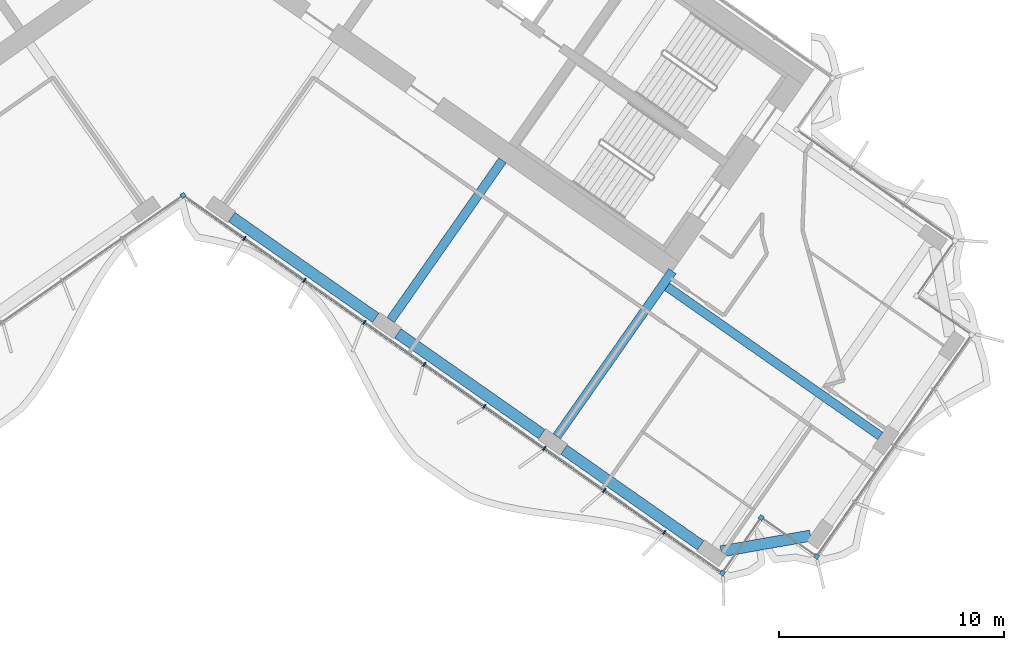
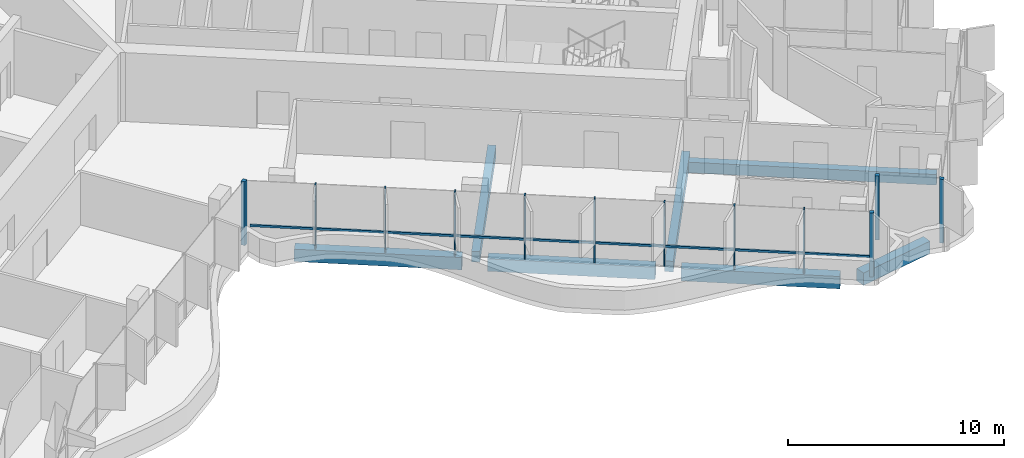
# One storey, part 5 of 21: 13 members, 7 beams, 1 element without a shape of its own.
"""IFC4 building model written with IfcOpenShell, lengths in metres."""

import ifcopenshell
import ifcopenshell.guid

model = None  # the IFC model being written
_history = None  # IfcOwnerHistory: only IFC2X3 demands one
_inside = {}  # id of a spatial element -> (the spatial element, [elements in it])
_under = {}  # id of a project, library or spatial element -> (it, [spatial elements below it])
_declared = {}  # id of a project -> (the project, [libraries it declares])
_typed = {}  # id of a type object -> (the type object, [elements of that type])
_made_of = {}  # id of a material, layer set ... -> (it, [elements and type objects made of it])


def new_model(schema):
    """Start an empty IFC model of exactly this schema.

    Asked for "IFC4X3", IfcOpenShell would pick the latest addendum, in which some entities
    have other attributes; the version numbers below select the first issue.
    IFC2X3 requires an IfcOwnerHistory on every rooted entity: one is made here for all.
    """
    global model, _history
    if schema == "IFC4X3":
        model = ifcopenshell.file(schema_version=(4, 3, 0, 0))
    else:
        model = ifcopenshell.file(schema=schema)
    _inside.clear()
    _under.clear()
    _declared.clear()
    _typed.clear()
    _made_of.clear()
    _history = None
    if model.schema == "IFC2X3":
        org = make("IfcOrganization", Name="unknown")
        user = make(
            "IfcPersonAndOrganization",
            ThePerson=make("IfcPerson", FamilyName="unknown"),
            TheOrganization=org,
        )
        app = make(
            "IfcApplication",
            ApplicationDeveloper=org,
            Version="unknown",
            ApplicationFullName="unknown",
            ApplicationIdentifier="unknown",
        )
        _history = make(
            "IfcOwnerHistory",
            OwningUser=user,
            OwningApplication=app,
            ChangeAction="ADDED",
            CreationDate=0,
        )
    return model


def make(cls, **values):
    """One entity of the class cls with the attributes given. An attribute that is None is left unset."""
    return model.create_entity(
        cls, **{name: value for name, value in values.items() if value is not None}
    )


def rooted(cls, **values):
    """An entity with a GlobalId (a new one), such as an element, a storey or a relation."""
    return make(cls, GlobalId=ifcopenshell.guid.new(), OwnerHistory=_history, **values)


def si_unit(unit_type, name, prefix=None):
    """IfcSIUnit, for example si_unit("LENGTHUNIT", "METRE", prefix="MILLI")."""
    return make("IfcSIUnit", UnitType=unit_type, Prefix=prefix, Name=name)


def assignment(units):
    """IfcUnitAssignment: the units of a project."""
    return None if units is None else make("IfcUnitAssignment", Units=units)


def point(xyz):
    """IfcCartesianPoint."""
    return None if xyz is None else make("IfcCartesianPoint", Coordinates=xyz)


def direction(xyz):
    """IfcDirection."""
    return None if xyz is None else make("IfcDirection", DirectionRatios=xyz)


def frame(location, z_axis=None, x_axis=None):
    """IfcAxis2Placement3D, a coordinate frame: its origin and axes. An axis left out is left unset."""
    return make(
        "IfcAxis2Placement3D",
        Location=point(location),
        Axis=direction(z_axis),
        RefDirection=direction(x_axis),
    )


def frame_2d(location, x_axis=None):
    """IfcAxis2Placement2D, a coordinate frame in the plane: its origin and x axis."""
    return make(
        "IfcAxis2Placement2D", Location=point(location), RefDirection=direction(x_axis)
    )


def origin():
    """The frame at (0, 0, 0) with its axes left unset."""
    return frame((0.0, 0.0, 0.0))


def origin_2d():
    """The frame at (0, 0) in the plane with its x axis left unset."""
    return frame_2d((0.0, 0.0))


def place(relative_to, where):
    """IfcLocalPlacement: puts the frame where relative to a parent placement (None: the world)."""
    return make(
        "IfcLocalPlacement", PlacementRelTo=relative_to, RelativePlacement=where
    )


def context(
    kind, dimensions, precision=None, world=None, true_north=None, identifier=None
):
    """IfcGeometricRepresentationContext, for example the 3D "Model" context."""
    return make(
        "IfcGeometricRepresentationContext",
        ContextIdentifier=identifier,
        ContextType=kind,
        CoordinateSpaceDimension=dimensions,
        Precision=precision,
        WorldCoordinateSystem=world,
        TrueNorth=true_north,
    )


def subcontext(parent, identifier, kind, view, scale=None):
    """IfcGeometricRepresentationSubContext, for example "Body" below "Model"."""
    return make(
        "IfcGeometricRepresentationSubContext",
        ContextIdentifier=identifier,
        ContextType=kind,
        ParentContext=parent,
        TargetScale=scale,
        TargetView=view,
    )


def project(units=None, contexts=None):
    """IfcProject with its units and contexts."""
    return rooted(
        "IfcProject",
        Name="project",
        RepresentationContexts=contexts,
        UnitsInContext=assignment(units),
    )


def spatial(cls, under=None, at=None, **own):
    """A site, building, storey or space (cls), placed at a placement, below another one or the project."""
    s = rooted(cls, ObjectPlacement=at, **own)
    if under is not None:
        _under.setdefault(under.id(), (under, []))[1].append(s)
    return s


def profile(cls, at=None, kind="AREA", **sizes):
    """A parametric profile (cls). Its sizes go by their IFC names, for example OverallWidth=200.0."""
    return make(cls, ProfileType=kind, Position=at, **sizes)


def rectangle(**sizes):
    """IfcRectangleProfileDef."""
    return profile("IfcRectangleProfileDef", **sizes)


def extrude(swept, where, along, depth):
    """IfcExtrudedAreaSolid: the profile swept, set in the frame where, extruded along a direction by depth."""
    return make(
        "IfcExtrudedAreaSolid",
        SweptArea=swept,
        Position=where,
        ExtrudedDirection=direction(along),
        Depth=depth,
    )


def shape(context_of_items, identifier, shape_type, items):
    """IfcShapeRepresentation: the items that make up one representation, for example the "Body"."""
    return make(
        "IfcShapeRepresentation",
        ContextOfItems=context_of_items,
        RepresentationIdentifier=identifier,
        RepresentationType=shape_type,
        Items=items,
    )


def material(Name=None, Category=None):
    """IfcMaterial."""
    return make("IfcMaterial", Name=Name, Category=Category)


def material_profile(
    of_material, cross_section, Name=None, Category=None, Priority=None
):
    """IfcMaterialProfile: a cross section and its material."""
    return make(
        "IfcMaterialProfile",
        Name=Name,
        Material=of_material,
        Profile=cross_section,
        Priority=Priority,
        Category=Category,
    )


def profile_set(profiles, Name=None, composite=None):
    """IfcMaterialProfileSet."""
    return make(
        "IfcMaterialProfileSet",
        Name=Name,
        MaterialProfiles=profiles,
        CompositeProfile=composite,
    )


def made_of(thing, what):
    """Note that an element or type object is made of a material, layer set ...; save() writes the relation."""
    if what is not None:
        _made_of.setdefault(what.id(), (what, []))[1].append(thing)
    return thing


def type_object(cls, material=None, **own):
    """A type object (cls), such as IfcWallType, which elements share."""
    return made_of(rooted(cls, **own), material)


def element(
    cls,
    number,
    at=None,
    inside=None,
    cuts=None,
    type_object=None,
    material=None,
    context=None,
    identifier="Body",
    shape_type=None,
    held_by="IfcProductDefinitionShape",
    body=None,
    shapes=None,
    **own,
):
    """One element of the class cls, such as IfcWall. Its Tag is "e" and its number.

    at: its placement. inside: the storey or other place that contains it. cuts: it is an
    opening in that element (IfcRelVoidsElement). A single representation is given by context,
    identifier, shape_type and body (its items); several are given by shapes. held_by: the class
    of the entity that holds the representations. save() writes the other relations.
    """
    e = rooted(cls, Tag="e%d" % number, ObjectPlacement=at, **own)
    if body is not None:
        shapes = [shape(context, identifier, shape_type, body)]
    if shapes is not None:
        e.Representation = make(held_by, Representations=shapes)
    if inside is not None:
        _inside.setdefault(inside.id(), (inside, []))[1].append(e)
    if cuts is not None:
        rooted(
            "IfcRelVoidsElement", RelatingBuildingElement=cuts, RelatedOpeningElement=e
        )
    if type_object is not None:
        _typed.setdefault(type_object.id(), (type_object, []))[1].append(e)
    return made_of(e, material)


def aggregate(whole, parts):
    """IfcRelAggregates: a whole, such as a stair, and the parts it consists of."""
    return rooted("IfcRelAggregates", RelatingObject=whole, RelatedObjects=parts)


def save(model, path):
    """Write the relations noted so far, then the file.

    IfcRelAggregates (storeys below a building ...), IfcRelContainedInSpatialStructure (elements
    in a storey), IfcRelDefinesByType, IfcRelAssociatesMaterial and IfcRelDeclares: one each for
    every whole, place, type object, material and project.
    """
    for whole, parts in _under.values():
        aggregate(whole, parts)
    for where, things in _inside.values():
        rooted(
            "IfcRelContainedInSpatialStructure",
            RelatedElements=things,
            RelatingStructure=where,
        )
    for kind, things in _typed.values():
        rooted("IfcRelDefinesByType", RelatedObjects=things, RelatingType=kind)
    for what, things in _made_of.values():
        rooted("IfcRelAssociatesMaterial", RelatedObjects=things, RelatingMaterial=what)
    for by, libraries in _declared.values():
        rooted("IfcRelDeclares", RelatingContext=by, RelatedDefinitions=libraries)
    model.write(path)


model = new_model("IFC4")

# Units and contexts
model_context = context("Model", 3, precision=1e-05, world=origin(), true_north=direction((0.0, 1.0)))
body_context = subcontext(model_context, "Body", "Model", "MODEL_VIEW")
ifc_project = project(units=[si_unit("LENGTHUNIT", "METRE"), si_unit("AREAUNIT", "SQUARE_METRE"), si_unit("VOLUMEUNIT", "CUBIC_METRE"), si_unit("PLANEANGLEUNIT", "RADIAN"), si_unit("MASSUNIT", "GRAM", prefix="KILO")], contexts=[model_context])

# Site, building, storey
site_placement = place(None, origin())
site = spatial("IfcSite", under=ifc_project, at=site_placement, CompositionType="ELEMENT")
building_placement = place(site_placement, origin())
building = spatial("IfcBuilding", under=site, at=building_placement, Name="Tel Ilan Convention Tower", CompositionType="ELEMENT")
storey_placement = place(building_placement, frame((0.0, 0.0, 210.0)))
storey = spatial("IfcBuildingStorey", under=building, at=storey_placement, Name="L49", CompositionType="ELEMENT", Elevation=210.0)

# Beams
ifc_material_1 = material(Name="Concrete C40/50", Category="concrete")
ifc_material_profile_1 = material_profile(ifc_material_1, rectangle(XDim=0.39990234375, YDim=0.60009765625, at=origin_2d()), Name="RC 400x600")
ifc_profile_set_1 = profile_set([ifc_material_profile_1], Name="Concrete C40/50")
beam_type_1 = type_object("IfcBeamType", Name="Beam RC 400x600 Concrete C40/50", PredefinedType="BEAM", material=ifc_profile_set_1)
beam_1_placement = place(storey_placement, frame((9.209716796875, -18.229248046875, -0.580078125), z_axis=(0.573574099654, 0.819153680457, 0.0), x_axis=(-0.819153680457, 0.573574099654, 0.0)))
element("IfcBeam", 1, at=beam_1_placement, inside=storey, type_object=beam_type_1, Name="L49 beam E-E-F2-core", PredefinedType="BEAM", context=body_context, shape_type="SweptSolid", body=[
    extrude(rectangle(XDim=0.39990234375, YDim=0.60009765625, at=origin_2d()), origin(), (0.0, 0.0, 1.0), 8.64990234375),
])
beam_2_placement = place(storey_placement, frame((16.58203125, -23.391357421875, -0.580078125), z_axis=(0.573584999642, 0.819146048141, 0.0), x_axis=(-0.819146048141, 0.573584999642, 0.0)))
element("IfcBeam", 2, at=beam_2_placement, inside=storey, type_object=beam_type_1, Name="L49 beam E-E-F3-core", PredefinedType="BEAM", context=body_context, shape_type="SweptSolid", body=[
    extrude(rectangle(XDim=0.39990234375, YDim=0.60009765625, at=origin_2d()), origin(), (0.0, 0.0, 1.0), 8.949951171875),
])
beam_3_placement = place(storey_placement, frame((21.477783203125, -16.748046875, -0.580078125), z_axis=(0.819160415691, -0.573564480564, 0.0), x_axis=(0.573564480564, 0.819160415691, 0.0)))
element("IfcBeam", 3, at=beam_3_placement, inside=storey, type_object=beam_type_1, Name="L49 beam E-core-end", PredefinedType="BEAM", context=body_context, shape_type="SweptSolid", body=[
    extrude(rectangle(XDim=0.39990234375, YDim=0.60009765625, at=origin_2d()), origin(), (0.0, 0.0, 1.0), 11.550048828125),
])
ifc_material_2 = material(Name="Concrete C40/50", Category="concrete")
ifc_material_profile_2 = material_profile(ifc_material_2, rectangle(XDim=0.5, YDim=0.699951171875, at=origin_2d()), Name="RC 500x700")
ifc_profile_set_2 = profile_set([ifc_material_profile_2], Name="Concrete C40/50")
beam_type_2 = type_object("IfcBeamType", Name="Beam RC 500x700 Concrete C40/50", PredefinedType="BEAM", material=ifc_profile_set_2)
for number, where, z_axis, x_axis, name in (
    (4, (2.15673828125, -13.656982421875, -0.6298828125), (0.819153977895, -0.573573674866, 0.0), (0.573573674866, 0.819153977895, 0.0), "L49 beam E-E-F1-E-F2"),
    (5, (9.529052734375, -18.819091796875, -0.6298828125), (0.819153977895, -0.573573674866, 0.0), (0.573573674866, 0.819153977895, 0.0), "L49 beam E-E-F2-E-F3"),
):
    element("IfcBeam", number, at=place(storey_placement, frame(where, z_axis=z_axis, x_axis=x_axis)), inside=storey, type_object=beam_type_2, Name=name, PredefinedType="BEAM", context=body_context, shape_type="SweptSolid", body=[
        extrude(rectangle(XDim=0.5, YDim=0.699951171875, at=origin_2d()), origin(), (0.0, 0.0, 1.0), 7.800048828125),
    ])
beam_4_placement = place(storey_placement, frame((16.901611328125, -23.981201171875, -0.6298828125), z_axis=(0.819148211634, -0.573581909911, 0.0), x_axis=(0.573581909911, 0.819148211634, 0.0)))
element("IfcBeam", 6, at=beam_4_placement, inside=storey, type_object=beam_type_2, Name="L49 beam E-E-F3-E-FC", PredefinedType="BEAM", context=body_context, shape_type="SweptSolid", body=[
    extrude(rectangle(XDim=0.5, YDim=0.699951171875, at=origin_2d()), origin(), (0.0, 0.0, 1.0), 7.39990234375),
])
beam_5_placement = place(storey_placement, frame((23.87255859375, -28.49609375, -0.6298828125), z_axis=(0.984815252405, 0.173605641124, 0.0), x_axis=(-0.173605641124, 0.984815252405, 0.0)))
element("IfcBeam", 7, at=beam_5_placement, inside=storey, type_object=beam_type_2, Name="L49 beam E-E-FC-E-E1", PredefinedType="BEAM", context=body_context, shape_type="SweptSolid", body=[
    extrude(rectangle(XDim=0.5, YDim=0.699951171875, at=origin_2d()), origin(), (0.0, 0.0, 1.0), 4.030517578125),
])

# Curtain wall, members
ifc_material_3 = material(Name="Aluminium, bronze anodised", Category="aluminium")
curtain_wall_type = type_object("IfcCurtainWallType", Name="CW4 STICK CURTAIN WALL, OFFICE TINTED GLASS", PredefinedType="NOTDEFINED", material=ifc_material_3)
curtain_wall_placement = place(storey_placement, origin())
curtain_wall = element("IfcCurtainWall", 8, at=curtain_wall_placement, inside=storey, type_object=curtain_wall_type, Name="Curtain wall CW4-38.02", PredefinedType="NOTDEFINED")
ifc_material_4 = material(Name="Aluminium, bronze anodised", Category="aluminium")
ifc_material_profile_3 = material_profile(ifc_material_4, rectangle(XDim=0.199951171875, YDim=0.199951171875, at=origin_2d()), Name="CW CORNER MULLION 200x200")
ifc_profile_set_3 = profile_set([ifc_material_profile_3], Name="Aluminium, bronze anodised")
member_type_1 = type_object("IfcMemberType", Name="CW CORNER MULLION 200x200", PredefinedType="MULLION", material=ifc_profile_set_3)
member_1_placement = place(storey_placement, frame((0.0, -12.696044921875, 0.0), z_axis=(0.0, 0.0, 1.0), x_axis=(0.819152044289, 0.573576436351, 0.0)))
member_1 = element("IfcMember", 9, at=member_1_placement, type_object=member_type_1, Name="Corner mullion", PredefinedType="MULLION", context=body_context, shape_type="SweptSolid", body=[
    extrude(rectangle(XDim=0.199951171875, YDim=0.199951171875, at=origin_2d()), origin(), (0.0, 0.0, 1.0), 3.6201171875),
])
member_2_placement = place(storey_placement, frame((23.933837890625, -29.454833984375, 0.0), z_axis=(0.0, 0.0, 1.0), x_axis=(0.819152044289, -0.573576436351, 0.0)))
member_2 = element("IfcMember", 10, at=member_2_placement, type_object=member_type_1, Name="Corner mullion", PredefinedType="MULLION", context=body_context, shape_type="SweptSolid", body=[
    extrude(rectangle(XDim=0.199951171875, YDim=0.199951171875, at=origin_2d()), origin(), (0.0, 0.0, 1.0), 3.6201171875),
])
member_3_placement = place(storey_placement, frame((25.654541015625, -26.997314453125, 0.0), z_axis=(0.0, 0.0, 1.0), x_axis=(0.573576436351, 0.819152044289, 0.0)))
member_3 = element("IfcMember", 11, at=member_3_placement, type_object=member_type_1, Name="Corner mullion", PredefinedType="MULLION", context=body_context, shape_type="SweptSolid", body=[
    extrude(rectangle(XDim=0.199951171875, YDim=0.199951171875, at=origin_2d()), origin(), (0.0, 0.0, 1.0), 3.6201171875),
])
member_4_placement = place(storey_placement, frame((28.112060546875, -28.718017578125, 0.0), z_axis=(0.0, 0.0, 1.0), x_axis=(0.819152044289, -0.573576436351, 0.0)))
member_4 = element("IfcMember", 12, at=member_4_placement, type_object=member_type_1, Name="Corner mullion", PredefinedType="MULLION", context=body_context, shape_type="SweptSolid", body=[
    extrude(rectangle(XDim=0.199951171875, YDim=0.199951171875, at=origin_2d()), origin(), (0.0, 0.0, 1.0), 3.6201171875),
])
ifc_material_5 = material(Name="Aluminium, bronze anodised", Category="aluminium")
ifc_material_profile_4 = material_profile(ifc_material_5, rectangle(XDim=0.06005859375, YDim=0.199951171875, at=origin_2d()), Name="CW MULLION 60x200")
ifc_profile_set_4 = profile_set([ifc_material_profile_4], Name="Aluminium, bronze anodised")
member_type_2 = type_object("IfcMemberType", Name="CW MULLION 60x200", PredefinedType="MULLION", material=ifc_profile_set_4)
member_5_placement = place(storey_placement, frame((2.719482421875, -14.60009765625, 0.0), z_axis=(0.0, 0.0, 1.0), x_axis=(0.819152044289, -0.573576436351, 0.0)))
member_5 = element("IfcMember", 13, at=member_5_placement, type_object=member_type_2, Name="Mullion", PredefinedType="MULLION", context=body_context, shape_type="SweptSolid", body=[
    extrude(rectangle(XDim=0.06005859375, YDim=0.199951171875, at=origin_2d()), origin(), (0.0, 0.0, 1.0), 3.6201171875),
])
member_6_placement = place(storey_placement, frame((5.38134765625, -16.464111328125, 0.0), z_axis=(0.0, 0.0, 1.0), x_axis=(0.819152044289, -0.573576436351, 0.0)))
member_6 = element("IfcMember", 14, at=member_6_placement, type_object=member_type_2, Name="Mullion", PredefinedType="MULLION", context=body_context, shape_type="SweptSolid", body=[
    extrude(rectangle(XDim=0.06005859375, YDim=0.199951171875, at=origin_2d()), origin(), (0.0, 0.0, 1.0), 3.6201171875),
])
member_7_placement = place(storey_placement, frame((8.04345703125, -18.328125, 0.0), z_axis=(0.0, 0.0, 1.0), x_axis=(0.819152044289, -0.573576436351, 0.0)))
member_7 = element("IfcMember", 15, at=member_7_placement, type_object=member_type_2, Name="Mullion", PredefinedType="MULLION", context=body_context, shape_type="SweptSolid", body=[
    extrude(rectangle(XDim=0.06005859375, YDim=0.199951171875, at=origin_2d()), origin(), (0.0, 0.0, 1.0), 3.6201171875),
])
member_8_placement = place(storey_placement, frame((10.70556640625, -20.192138671875, 0.0), z_axis=(0.0, 0.0, 1.0), x_axis=(0.819152044289, -0.573576436351, 0.0)))
member_8 = element("IfcMember", 16, at=member_8_placement, type_object=member_type_2, Name="Mullion", PredefinedType="MULLION", context=body_context, shape_type="SweptSolid", body=[
    extrude(rectangle(XDim=0.06005859375, YDim=0.199951171875, at=origin_2d()), origin(), (0.0, 0.0, 1.0), 3.6201171875),
])
member_9_placement = place(storey_placement, frame((13.36767578125, -22.05615234375, 0.0), z_axis=(0.0, 0.0, 1.0), x_axis=(0.819152044289, -0.573576436351, 0.0)))
member_9 = element("IfcMember", 17, at=member_9_placement, type_object=member_type_2, Name="Mullion", PredefinedType="MULLION", context=body_context, shape_type="SweptSolid", body=[
    extrude(rectangle(XDim=0.06005859375, YDim=0.199951171875, at=origin_2d()), origin(), (0.0, 0.0, 1.0), 3.6201171875),
])
member_10_placement = place(storey_placement, frame((16.029541015625, -23.920166015625, 0.0), z_axis=(0.0, 0.0, 1.0), x_axis=(0.819152044289, -0.573576436351, 0.0)))
member_10 = element("IfcMember", 18, at=member_10_placement, type_object=member_type_2, Name="Mullion", PredefinedType="MULLION", context=body_context, shape_type="SweptSolid", body=[
    extrude(rectangle(XDim=0.06005859375, YDim=0.199951171875, at=origin_2d()), origin(), (0.0, 0.0, 1.0), 3.6201171875),
])
member_11_placement = place(storey_placement, frame((18.691650390625, -25.7841796875, 0.0), z_axis=(0.0, 0.0, 1.0), x_axis=(0.819152044289, -0.573576436351, 0.0)))
member_11 = element("IfcMember", 19, at=member_11_placement, type_object=member_type_2, Name="Mullion", PredefinedType="MULLION", context=body_context, shape_type="SweptSolid", body=[
    extrude(rectangle(XDim=0.06005859375, YDim=0.199951171875, at=origin_2d()), origin(), (0.0, 0.0, 1.0), 3.6201171875),
])
member_12_placement = place(storey_placement, frame((21.353759765625, -27.648193359375, 0.0), z_axis=(0.0, 0.0, 1.0), x_axis=(0.819152044289, -0.573576436351, 0.0)))
member_12 = element("IfcMember", 20, at=member_12_placement, type_object=member_type_2, Name="Mullion", PredefinedType="MULLION", context=body_context, shape_type="SweptSolid", body=[
    extrude(rectangle(XDim=0.06005859375, YDim=0.199951171875, at=origin_2d()), origin(), (0.0, 0.0, 1.0), 3.6201171875),
])
ifc_material_6 = material(Name="Aluminium, bronze anodised", Category="aluminium")
ifc_material_profile_5 = material_profile(ifc_material_6, rectangle(XDim=0.10009765625, YDim=0.1201171875, at=origin_2d()), Name="CW TRANSOM 100x120")
ifc_profile_set_5 = profile_set([ifc_material_profile_5], Name="Aluminium, bronze anodised")
member_type_3 = type_object("IfcMemberType", Name="CW TRANSOM 100x120", PredefinedType="USERDEFINED", material=ifc_profile_set_5)
member_13_placement = place(storey_placement, frame((0.22119140625, -12.850830078125, 1.10009765625), z_axis=(0.819150008568, -0.573579343651, 0.0), x_axis=(0.573579343651, 0.819150008568, 0.0)))
member_13 = element("IfcMember", 21, at=member_13_placement, type_object=member_type_3, Name="Transom", ObjectType="TRANSOM", PredefinedType="USERDEFINED", context=body_context, shape_type="SweptSolid", body=[
    extrude(rectangle(XDim=0.10009765625, YDim=0.1201171875, at=origin_2d()), origin(), (0.0, 0.0, 1.0), 28.84814453125),
])
aggregate(curtain_wall, [member_1, member_5, member_6, member_7, member_8, member_9, member_10, member_11, member_12, member_2, member_13, member_3, member_4])

save(model, "model.ifc")
